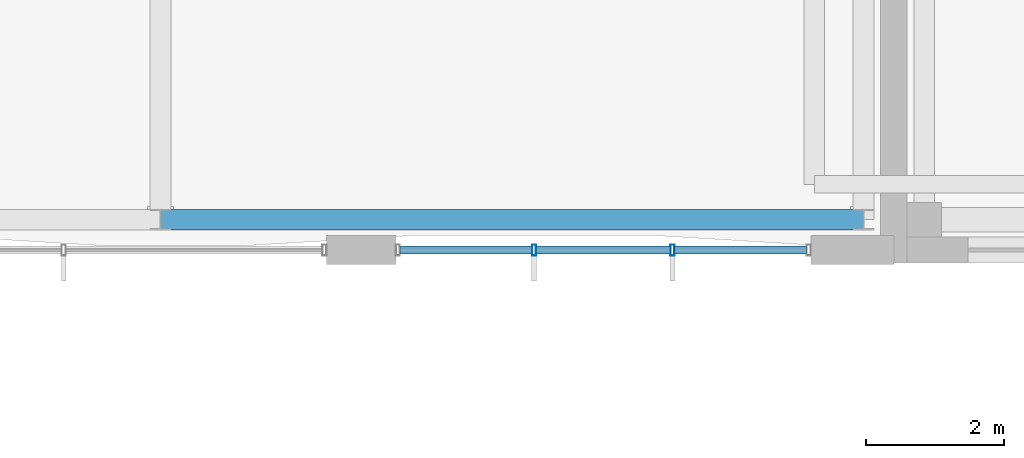
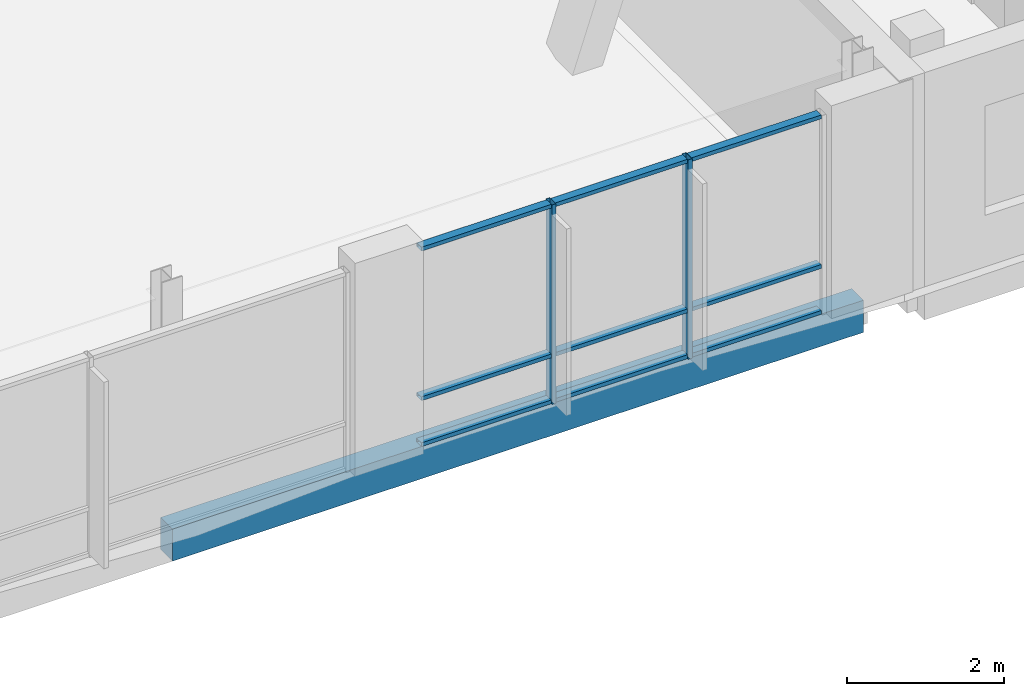
# One storey, part 53 of 189: 11 members, 1 beam, 1 element without a shape of its own.
"""IFC4 building model written with IfcOpenShell, lengths in metres."""

from ifc_helpers import new_model, si_unit, direction, frame, origin, origin_2d, place, context, subcontext, project, spatial, rectangle, hollow_rectangle, extrude, material, material_profile, profile_set, type_object, element, aggregate, save


model = new_model("IFC4")

# Units and contexts
model_context = context("Model", 3, precision=1e-05, world=origin(), true_north=direction((0.0, 1.0)))
body_context = subcontext(model_context, "Body", "Model", "MODEL_VIEW")
ifc_project = project(units=[si_unit("LENGTHUNIT", "METRE"), si_unit("AREAUNIT", "SQUARE_METRE"), si_unit("VOLUMEUNIT", "CUBIC_METRE"), si_unit("PLANEANGLEUNIT", "RADIAN"), si_unit("MASSUNIT", "GRAM", prefix="KILO")], contexts=[model_context])

# Site, building, storey
site_placement = place(None, origin())
site = spatial("IfcSite", under=ifc_project, at=site_placement, CompositionType="ELEMENT")
building_placement = place(site_placement, origin())
building = spatial("IfcBuilding", under=site, at=building_placement, Name="Zavelmont Quarter", CompositionType="ELEMENT")
storey_placement = place(building_placement, frame((0.0, 0.0, 4.39990234375)))
storey = spatial("IfcBuildingStorey", under=building, at=storey_placement, Name="L01", CompositionType="ELEMENT", Elevation=4.39990234375)

# Beam
ifc_material_1 = material(Name="Concrete C35/45", Category="concrete")
ifc_material_profile_1 = material_profile(ifc_material_1, rectangle(XDim=0.300048828125, YDim=0.5, at=origin_2d()), Name="RC300X500")
ifc_profile_set_1 = profile_set([ifc_material_profile_1], Name="Concrete C35/45")
beam_type = type_object("IfcBeamType", Name="BM03", PredefinedType="BEAM", material=ifc_profile_set_1)
beam_placement = place(storey_placement, frame((102.199951171875, 0.43994140625, -0.52978515625), z_axis=(1.0, 0.0, 0.0), x_axis=(0.0, 1.0, 0.0)))
element("IfcBeam", 1, at=beam_placement, inside=storey, type_object=beam_type, Name="L01 beam BM03 16/A to 17/A", PredefinedType="BEAM", context=body_context, shape_type="SweptSolid", body=[
    extrude(rectangle(XDim=0.300048828125, YDim=0.5, at=origin_2d()), origin(), (0.0, 0.0, 1.0), 10.16015625),
])

# Curtain wall, members
ifc_material_2 = material(Name="Thermally broken aluminium and double low-E safety glazing", Category="aluminium")
curtain_wall_type = type_object("IfcCurtainWallType", Name="CW-600X310", PredefinedType="NOTDEFINED", material=ifc_material_2)
curtain_wall_placement = place(storey_placement, origin())
curtain_wall = element("IfcCurtainWall", 2, at=curtain_wall_placement, inside=storey, type_object=curtain_wall_type, Name="L01 unitised curtain wall CW-600X310", PredefinedType="NOTDEFINED")
ifc_material_3 = material(Name="Powder-coated aluminium EN AW-6063-T6", Category="aluminium")
ifc_material_profile_2 = material_profile(ifc_material_3, hollow_rectangle(XDim=0.06005859375, YDim=0.159912109375, WallThickness=0.00390625, at=origin_2d()), Name="CWM60X160")
ifc_profile_set_2 = profile_set([ifc_material_profile_2], Name="Powder-coated aluminium EN AW-6063-T6")
member_type_1 = type_object("IfcMemberType", Name="CWM01", PredefinedType="MULLION", material=ifc_profile_set_2)
member_1_placement = place(storey_placement, frame((107.60009765625, 0.0, 0.0), z_axis=(0.0, 0.0, 1.0), x_axis=(1.0, 0.0, 0.0)))
member_1 = element("IfcMember", 3, at=member_1_placement, type_object=member_type_1, Name="CW-600X310 mullion 2", PredefinedType="MULLION", context=body_context, shape_type="SweptSolid", body=[
    extrude(hollow_rectangle(XDim=0.06005859375, YDim=0.159912109375, WallThickness=0.00390625, at=origin_2d()), origin(), (0.0, 0.0, 1.0), 3.10009765625),
])
member_2_placement = place(storey_placement, frame((109.60009765625, 0.0, 0.0), z_axis=(0.0, 0.0, 1.0), x_axis=(1.0, 0.0, 0.0)))
member_2 = element("IfcMember", 4, at=member_2_placement, type_object=member_type_1, Name="CW-600X310 mullion 3", PredefinedType="MULLION", context=body_context, shape_type="SweptSolid", body=[
    extrude(hollow_rectangle(XDim=0.06005859375, YDim=0.159912109375, WallThickness=0.00390625, at=origin_2d()), origin(), (0.0, 0.0, 1.0), 3.10009765625),
])
ifc_material_profile_3 = material_profile(ifc_material_3, hollow_rectangle(XDim=0.1201171875, YDim=0.06005859375, WallThickness=0.00390625, at=origin_2d()), Name="CWT60X120")
ifc_profile_set_3 = profile_set([ifc_material_profile_3], Name="Powder-coated aluminium EN AW-6063-T6")
member_type_2 = type_object("IfcMemberType", Name="CWT01", PredefinedType="NOTDEFINED", material=ifc_profile_set_3)
member_3_placement = place(storey_placement, frame((105.659912109375, 0.0, 0.030029296875), z_axis=(1.0, 0.0, 0.0), x_axis=(0.0, 1.0, 0.0)))
member_3 = element("IfcMember", 5, at=member_3_placement, type_object=member_type_2, Name="CW-600X310 transom 1.1", ObjectType="TRANSOM", PredefinedType="USERDEFINED", context=body_context, shape_type="SweptSolid", body=[
    extrude(hollow_rectangle(XDim=0.1201171875, YDim=0.06005859375, WallThickness=0.00390625, at=origin_2d()), origin(), (0.0, 0.0, 1.0), 1.91015625),
])
member_4_placement = place(storey_placement, frame((105.659912109375, 0.0, 0.744140625), z_axis=(1.0, 0.0, 0.0), x_axis=(0.0, 1.0, 0.0)))
member_4 = element("IfcMember", 6, at=member_4_placement, type_object=member_type_2, Name="CW-600X310 transom 1.2", ObjectType="TRANSOM", PredefinedType="USERDEFINED", context=body_context, shape_type="SweptSolid", body=[
    extrude(hollow_rectangle(XDim=0.1201171875, YDim=0.06005859375, WallThickness=0.00390625, at=origin_2d()), origin(), (0.0, 0.0, 1.0), 1.91015625),
])
member_5_placement = place(storey_placement, frame((105.659912109375, 0.0, 3.070068359375), z_axis=(1.0, 0.0, 0.0), x_axis=(0.0, 1.0, 0.0)))
member_5 = element("IfcMember", 7, at=member_5_placement, type_object=member_type_2, Name="CW-600X310 transom 1.3", ObjectType="TRANSOM", PredefinedType="USERDEFINED", context=body_context, shape_type="SweptSolid", body=[
    extrude(hollow_rectangle(XDim=0.1201171875, YDim=0.06005859375, WallThickness=0.00390625, at=origin_2d()), origin(), (0.0, 0.0, 1.0), 1.91015625),
])
member_6_placement = place(storey_placement, frame((107.6298828125, 0.0, 0.030029296875), z_axis=(1.0, 0.0, 0.0), x_axis=(0.0, 1.0, 0.0)))
member_6 = element("IfcMember", 8, at=member_6_placement, type_object=member_type_2, Name="CW-600X310 transom 2.1", ObjectType="TRANSOM", PredefinedType="USERDEFINED", context=body_context, shape_type="SweptSolid", body=[
    extrude(hollow_rectangle(XDim=0.1201171875, YDim=0.06005859375, WallThickness=0.00390625, at=origin_2d()), origin(), (0.0, 0.0, 1.0), 1.940185546875),
])
member_7_placement = place(storey_placement, frame((107.6298828125, 0.0, 0.744140625), z_axis=(1.0, 0.0, 0.0), x_axis=(0.0, 1.0, 0.0)))
member_7 = element("IfcMember", 9, at=member_7_placement, type_object=member_type_2, Name="CW-600X310 transom 2.2", ObjectType="TRANSOM", PredefinedType="USERDEFINED", context=body_context, shape_type="SweptSolid", body=[
    extrude(hollow_rectangle(XDim=0.1201171875, YDim=0.06005859375, WallThickness=0.00390625, at=origin_2d()), origin(), (0.0, 0.0, 1.0), 1.940185546875),
])
member_8_placement = place(storey_placement, frame((107.6298828125, 0.0, 3.070068359375), z_axis=(1.0, 0.0, 0.0), x_axis=(0.0, 1.0, 0.0)))
member_8 = element("IfcMember", 10, at=member_8_placement, type_object=member_type_2, Name="CW-600X310 transom 2.3", ObjectType="TRANSOM", PredefinedType="USERDEFINED", context=body_context, shape_type="SweptSolid", body=[
    extrude(hollow_rectangle(XDim=0.1201171875, YDim=0.06005859375, WallThickness=0.00390625, at=origin_2d()), origin(), (0.0, 0.0, 1.0), 1.940185546875),
])
member_9_placement = place(storey_placement, frame((109.6298828125, 0.0, 0.030029296875), z_axis=(1.0, 0.0, 0.0), x_axis=(0.0, 1.0, 0.0)))
member_9 = element("IfcMember", 11, at=member_9_placement, type_object=member_type_2, Name="CW-600X310 transom 3.1", ObjectType="TRANSOM", PredefinedType="USERDEFINED", context=body_context, shape_type="SweptSolid", body=[
    extrude(hollow_rectangle(XDim=0.1201171875, YDim=0.06005859375, WallThickness=0.00390625, at=origin_2d()), origin(), (0.0, 0.0, 1.0), 1.91015625),
])
member_10_placement = place(storey_placement, frame((109.6298828125, 0.0, 0.744140625), z_axis=(1.0, 0.0, 0.0), x_axis=(0.0, 1.0, 0.0)))
member_10 = element("IfcMember", 12, at=member_10_placement, type_object=member_type_2, Name="CW-600X310 transom 3.2", ObjectType="TRANSOM", PredefinedType="USERDEFINED", context=body_context, shape_type="SweptSolid", body=[
    extrude(hollow_rectangle(XDim=0.1201171875, YDim=0.06005859375, WallThickness=0.00390625, at=origin_2d()), origin(), (0.0, 0.0, 1.0), 1.91015625),
])
member_11_placement = place(storey_placement, frame((109.6298828125, 0.0, 3.070068359375), z_axis=(1.0, 0.0, 0.0), x_axis=(0.0, 1.0, 0.0)))
member_11 = element("IfcMember", 13, at=member_11_placement, type_object=member_type_2, Name="CW-600X310 transom 3.3", ObjectType="TRANSOM", PredefinedType="USERDEFINED", context=body_context, shape_type="SweptSolid", body=[
    extrude(hollow_rectangle(XDim=0.1201171875, YDim=0.06005859375, WallThickness=0.00390625, at=origin_2d()), origin(), (0.0, 0.0, 1.0), 1.91015625),
])
aggregate(curtain_wall, [member_1, member_2, member_3, member_4, member_5, member_6, member_7, member_8, member_9, member_10, member_11])

save(model, "model.ifc")
